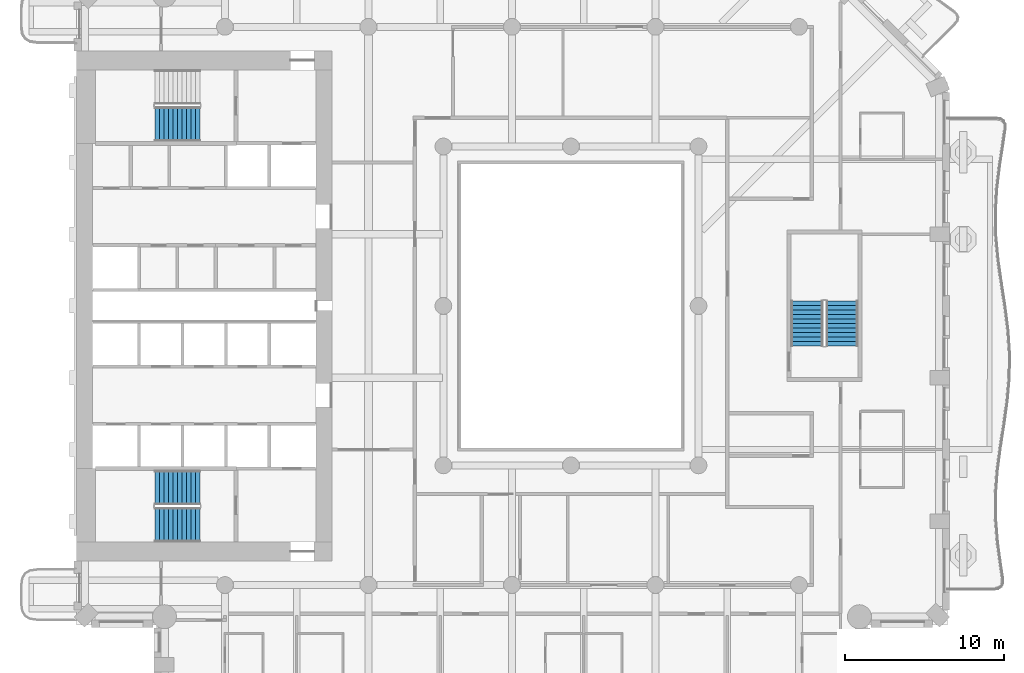
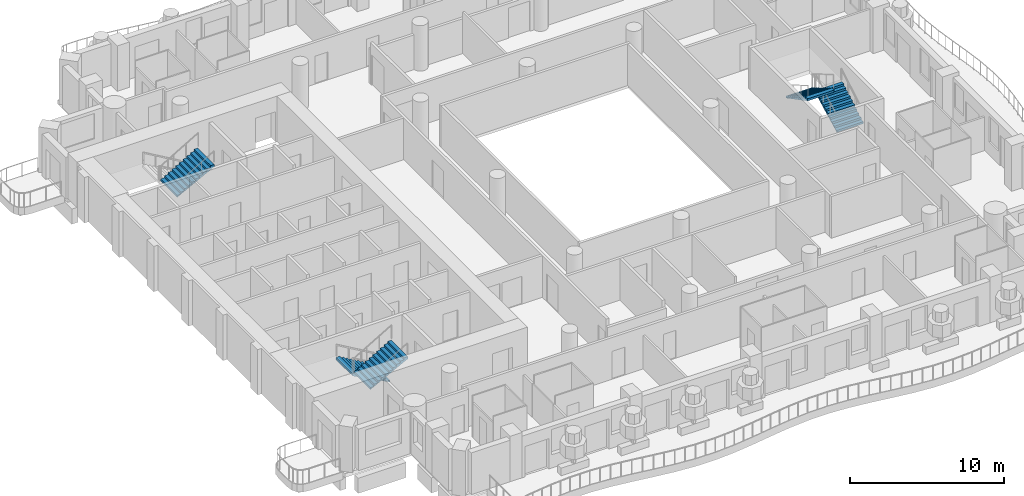
# One storey, part 11 of 20: 5 stair flights, 3 elements without a shape of their own.
"""IFC4 building model written with IfcOpenShell, lengths in metres."""

import ifcopenshell
import ifcopenshell.guid

model = None  # the IFC model being written
_history = None  # IfcOwnerHistory: only IFC2X3 demands one
_inside = {}  # id of a spatial element -> (the spatial element, [elements in it])
_under = {}  # id of a project, library or spatial element -> (it, [spatial elements below it])
_declared = {}  # id of a project -> (the project, [libraries it declares])
_typed = {}  # id of a type object -> (the type object, [elements of that type])
_made_of = {}  # id of a material, layer set ... -> (it, [elements and type objects made of it])


def new_model(schema):
    """Start an empty IFC model of exactly this schema.

    Asked for "IFC4X3", IfcOpenShell would pick the latest addendum, in which some entities
    have other attributes; the version numbers below select the first issue.
    IFC2X3 requires an IfcOwnerHistory on every rooted entity: one is made here for all.
    """
    global model, _history
    if schema == "IFC4X3":
        model = ifcopenshell.file(schema_version=(4, 3, 0, 0))
    else:
        model = ifcopenshell.file(schema=schema)
    _inside.clear()
    _under.clear()
    _declared.clear()
    _typed.clear()
    _made_of.clear()
    _history = None
    if model.schema == "IFC2X3":
        org = make("IfcOrganization", Name="unknown")
        user = make(
            "IfcPersonAndOrganization",
            ThePerson=make("IfcPerson", FamilyName="unknown"),
            TheOrganization=org,
        )
        app = make(
            "IfcApplication",
            ApplicationDeveloper=org,
            Version="unknown",
            ApplicationFullName="unknown",
            ApplicationIdentifier="unknown",
        )
        _history = make(
            "IfcOwnerHistory",
            OwningUser=user,
            OwningApplication=app,
            ChangeAction="ADDED",
            CreationDate=0,
        )
    return model


def make(cls, **values):
    """One entity of the class cls with the attributes given. An attribute that is None is left unset."""
    return model.create_entity(
        cls, **{name: value for name, value in values.items() if value is not None}
    )


def rooted(cls, **values):
    """An entity with a GlobalId (a new one), such as an element, a storey or a relation."""
    return make(cls, GlobalId=ifcopenshell.guid.new(), OwnerHistory=_history, **values)


def si_unit(unit_type, name, prefix=None):
    """IfcSIUnit, for example si_unit("LENGTHUNIT", "METRE", prefix="MILLI")."""
    return make("IfcSIUnit", UnitType=unit_type, Prefix=prefix, Name=name)


def assignment(units):
    """IfcUnitAssignment: the units of a project."""
    return None if units is None else make("IfcUnitAssignment", Units=units)


def point(xyz):
    """IfcCartesianPoint."""
    return None if xyz is None else make("IfcCartesianPoint", Coordinates=xyz)


def direction(xyz):
    """IfcDirection."""
    return None if xyz is None else make("IfcDirection", DirectionRatios=xyz)


def frame(location, z_axis=None, x_axis=None):
    """IfcAxis2Placement3D, a coordinate frame: its origin and axes. An axis left out is left unset."""
    return make(
        "IfcAxis2Placement3D",
        Location=point(location),
        Axis=direction(z_axis),
        RefDirection=direction(x_axis),
    )


def origin():
    """The frame at (0, 0, 0) with its axes left unset."""
    return frame((0.0, 0.0, 0.0))


def place(relative_to, where):
    """IfcLocalPlacement: puts the frame where relative to a parent placement (None: the world)."""
    return make(
        "IfcLocalPlacement", PlacementRelTo=relative_to, RelativePlacement=where
    )


def context(
    kind, dimensions, precision=None, world=None, true_north=None, identifier=None
):
    """IfcGeometricRepresentationContext, for example the 3D "Model" context."""
    return make(
        "IfcGeometricRepresentationContext",
        ContextIdentifier=identifier,
        ContextType=kind,
        CoordinateSpaceDimension=dimensions,
        Precision=precision,
        WorldCoordinateSystem=world,
        TrueNorth=true_north,
    )


def subcontext(parent, identifier, kind, view, scale=None):
    """IfcGeometricRepresentationSubContext, for example "Body" below "Model"."""
    return make(
        "IfcGeometricRepresentationSubContext",
        ContextIdentifier=identifier,
        ContextType=kind,
        ParentContext=parent,
        TargetScale=scale,
        TargetView=view,
    )


def project(units=None, contexts=None):
    """IfcProject with its units and contexts."""
    return rooted(
        "IfcProject",
        Name="project",
        RepresentationContexts=contexts,
        UnitsInContext=assignment(units),
    )


def spatial(cls, under=None, at=None, **own):
    """A site, building, storey or space (cls), placed at a placement, below another one or the project."""
    s = rooted(cls, ObjectPlacement=at, **own)
    if under is not None:
        _under.setdefault(under.id(), (under, []))[1].append(s)
    return s


def point_list(points):
    """IfcCartesianPointList2D or 3D."""
    cls = (
        "IfcCartesianPointList2D" if len(points[0]) == 2 else "IfcCartesianPointList3D"
    )
    return make(cls, CoordList=points)


def triangles(points, corners, closed=None, point_numbers=None):
    """IfcTriangulatedFaceSet: each triangle names its three corners, points numbered from 1."""
    return make(
        "IfcTriangulatedFaceSet",
        Coordinates=point_list(points),
        Closed=closed,
        CoordIndex=corners,
        PnIndex=point_numbers,
    )


def shape(context_of_items, identifier, shape_type, items):
    """IfcShapeRepresentation: the items that make up one representation, for example the "Body"."""
    return make(
        "IfcShapeRepresentation",
        ContextOfItems=context_of_items,
        RepresentationIdentifier=identifier,
        RepresentationType=shape_type,
        Items=items,
    )


def material(Name=None, Category=None):
    """IfcMaterial."""
    return make("IfcMaterial", Name=Name, Category=Category)


def made_of(thing, what):
    """Note that an element or type object is made of a material, layer set ...; save() writes the relation."""
    if what is not None:
        _made_of.setdefault(what.id(), (what, []))[1].append(thing)
    return thing


def type_object(cls, material=None, **own):
    """A type object (cls), such as IfcWallType, which elements share."""
    return made_of(rooted(cls, **own), material)


def element(
    cls,
    number,
    at=None,
    inside=None,
    cuts=None,
    type_object=None,
    material=None,
    context=None,
    identifier="Body",
    shape_type=None,
    held_by="IfcProductDefinitionShape",
    body=None,
    shapes=None,
    **own,
):
    """One element of the class cls, such as IfcWall. Its Tag is "e" and its number.

    at: its placement. inside: the storey or other place that contains it. cuts: it is an
    opening in that element (IfcRelVoidsElement). A single representation is given by context,
    identifier, shape_type and body (its items); several are given by shapes. held_by: the class
    of the entity that holds the representations. save() writes the other relations.
    """
    e = rooted(cls, Tag="e%d" % number, ObjectPlacement=at, **own)
    if body is not None:
        shapes = [shape(context, identifier, shape_type, body)]
    if shapes is not None:
        e.Representation = make(held_by, Representations=shapes)
    if inside is not None:
        _inside.setdefault(inside.id(), (inside, []))[1].append(e)
    if cuts is not None:
        rooted(
            "IfcRelVoidsElement", RelatingBuildingElement=cuts, RelatedOpeningElement=e
        )
    if type_object is not None:
        _typed.setdefault(type_object.id(), (type_object, []))[1].append(e)
    return made_of(e, material)


def aggregate(whole, parts):
    """IfcRelAggregates: a whole, such as a stair, and the parts it consists of."""
    return rooted("IfcRelAggregates", RelatingObject=whole, RelatedObjects=parts)


def save(model, path):
    """Write the relations noted so far, then the file.

    IfcRelAggregates (storeys below a building ...), IfcRelContainedInSpatialStructure (elements
    in a storey), IfcRelDefinesByType, IfcRelAssociatesMaterial and IfcRelDeclares: one each for
    every whole, place, type object, material and project.
    """
    for whole, parts in _under.values():
        aggregate(whole, parts)
    for where, things in _inside.values():
        rooted(
            "IfcRelContainedInSpatialStructure",
            RelatedElements=things,
            RelatingStructure=where,
        )
    for kind, things in _typed.values():
        rooted("IfcRelDefinesByType", RelatedObjects=things, RelatingType=kind)
    for what, things in _made_of.values():
        rooted("IfcRelAssociatesMaterial", RelatedObjects=things, RelatingMaterial=what)
    for by, libraries in _declared.values():
        rooted("IfcRelDeclares", RelatingContext=by, RelatedDefinitions=libraries)
    model.write(path)


model = new_model("IFC4")

# Units and contexts
model_context = context("Model", 3, precision=1e-05, world=origin(), true_north=direction((0.0, 1.0)))
body_context = subcontext(model_context, "Body", "Model", "MODEL_VIEW")
ifc_project = project(units=[si_unit("LENGTHUNIT", "METRE"), si_unit("AREAUNIT", "SQUARE_METRE"), si_unit("VOLUMEUNIT", "CUBIC_METRE"), si_unit("PLANEANGLEUNIT", "RADIAN"), si_unit("MASSUNIT", "GRAM", prefix="KILO")], contexts=[model_context])

# Site, building, storey
site_placement = place(None, origin())
site = spatial("IfcSite", under=ifc_project, at=site_placement, CompositionType="ELEMENT")
building_placement = place(site_placement, origin())
building = spatial("IfcBuilding", under=site, at=building_placement, Name="Cypress Arch Tower", CompositionType="ELEMENT")
storey_placement = place(building_placement, frame((0.0, 0.0, 123.89990234375)))
storey = spatial("IfcBuildingStorey", under=building, at=storey_placement, Name="L26", CompositionType="ELEMENT", Elevation=123.89990234375)

# Stair, stair flights
ifc_material_1 = material(Name="Concrete C40/50", Category="concrete")
stair_type_1 = type_object("IfcStairType", Name="Exit stair ES1636-200", PredefinedType="HALF_TURN_STAIR", material=ifc_material_1)
stair_1_placement = place(storey_placement, origin())
stair_1 = element("IfcStair", 1, at=stair_1_placement, inside=storey, type_object=stair_type_1, Name="L26 Exit stair C", PredefinedType="HALF_TURN_STAIR")
ifc_material_2 = material(Name="Concrete C40/50", Category="concrete")
stair_flight_type_1 = type_object("IfcStairFlightType", Name="Exit stair flight ES1636-200", PredefinedType="STRAIGHT", material=ifc_material_2)
stair_flight_1_placement = place(storey_placement, frame((18.0, -2.5, 0.0), z_axis=(0.0, 0.0, 1.0), x_axis=(0.0, 1.0, 0.0)))
stair_flight_1 = element("IfcStairFlight", 2, at=stair_flight_1_placement, type_object=stair_flight_type_1, Name="C flight 1", NumberOfRisers=11, NumberOfTreads=10, PredefinedType="STRAIGHT", RiserHeight=0.163636364, TreadLength=0.28, context=body_context, shape_type="Tessellation", body=[
    triangles([(0.0, -1.0, 0.0), (0.00048828125, -1.0, 0.054443359375), (0.00048828125, -1.0, 0.109130859375), (0.0, -1.0, 0.16357421875), (0.280029296875, -1.0, 0.16357421875), (0.280029296875, -1.0, 0.327392578125), (0.56005859375, -1.0, 0.327392578125), (0.56005859375, -1.0, 0.490966796875), (0.840087890625, -1.0, 0.490966796875), (0.840087890625, -1.0, 0.654541015625), (1.1201171875, -1.0, 0.654541015625), (1.1201171875, -1.0, 0.818115234375), (1.39990234375, -1.0, 0.818115234375), (1.39990234375, -1.0, 0.98193359375), (1.679931640625, -1.0, 0.98193359375), (1.679931640625, -1.0, 1.1455078125), (1.9599609375, -1.0, 1.1455078125), (1.9599609375, -1.0, 1.30908203125), (2.239990234375, -1.0, 1.30908203125), (2.239990234375, -1.0, 1.47265625), (2.52001953125, -1.0, 1.47265625), (2.52001953125, -1.0, 1.636474609375), (2.800048828125, -1.0, 1.636474609375), (2.799560546875, -1.0, 1.57861328125), (2.799560546875, -1.0, 1.5205078125), (2.800048828125, -1.0, 1.462646484375), (2.800048828125, 1.0, 1.462646484375), (2.799560546875, 1.0, 1.5205078125), (2.799560546875, 1.0, 1.57861328125), (2.800048828125, 1.0, 1.636474609375), (2.52001953125, 1.0, 1.636474609375), (2.52001953125, 1.0, 1.47265625), (2.239990234375, 1.0, 1.47265625), (2.239990234375, 1.0, 1.30908203125), (1.9599609375, 1.0, 1.30908203125), (1.9599609375, 1.0, 1.1455078125), (1.679931640625, 1.0, 1.1455078125), (1.679931640625, 1.0, 0.98193359375), (1.39990234375, 1.0, 0.98193359375), (1.39990234375, 1.0, 0.818115234375), (1.1201171875, 1.0, 0.818115234375), (1.1201171875, 1.0, 0.654541015625), (0.840087890625, 1.0, 0.654541015625), (0.840087890625, 1.0, 0.490966796875), (0.56005859375, 1.0, 0.490966796875), (0.56005859375, 1.0, 0.327392578125), (0.280029296875, 1.0, 0.327392578125), (0.280029296875, 1.0, 0.16357421875), (0.0, 1.0, 0.16357421875), (0.00048828125, 1.0, 0.109130859375), (0.00048828125, 1.0, 0.054443359375), (0.0, 1.0, 0.0), (2.799560546875, 0.0, 1.5205078125), (2.800048828125, 0.0, 1.462646484375), (2.799560546875, 0.0, 1.57861328125), (2.800048828125, 0.0, 1.636474609375), (2.52001953125, 0.0, 1.636474609375), (2.52001953125, 0.0, 1.47265625), (2.239990234375, 0.0, 1.47265625), (2.239990234375, 0.0, 1.30908203125), (1.9599609375, 0.0, 1.30908203125), (1.9599609375, 0.0, 1.1455078125), (1.679931640625, 0.0, 1.1455078125), (1.679931640625, 0.0, 0.98193359375), (1.39990234375, 0.0, 0.98193359375), (1.39990234375, 0.0, 0.818115234375), (1.1201171875, 0.0, 0.818115234375), (1.1201171875, 0.0, 0.654541015625), (0.840087890625, 0.0, 0.654541015625), (0.840087890625, 0.0, 0.490966796875), (0.56005859375, 0.0, 0.490966796875), (0.56005859375, 0.0, 0.327392578125), (0.280029296875, 0.0, 0.327392578125), (0.280029296875, 0.0, 0.16357421875), (0.0, 0.0, 0.16357421875), (0.00048828125, 0.0, 0.109130859375), (0.00048828125, 0.0, 0.054443359375), (0.0, 0.0, 0.0)], [[26, 25, 22], [25, 24, 22], [24, 23, 22], [15, 14, 13], [7, 6, 5], [13, 12, 11], [21, 20, 19], [19, 18, 17], [17, 16, 15], [11, 10, 9], [9, 8, 7], [4, 3, 5], [3, 2, 5], [2, 1, 5], [26, 22, 21], [26, 21, 19], [26, 19, 17], [26, 17, 15], [26, 15, 13], [26, 13, 11], [26, 11, 9], [26, 9, 7], [26, 7, 5], [26, 5, 1], [27, 31, 28], [28, 31, 29], [29, 31, 30], [38, 40, 39], [46, 48, 47], [40, 42, 41], [32, 34, 33], [34, 36, 35], [36, 38, 37], [42, 44, 43], [44, 46, 45], [49, 48, 50], [50, 48, 51], [51, 48, 52], [27, 32, 31], [27, 34, 32], [27, 36, 34], [27, 38, 36], [27, 40, 38], [27, 42, 40], [27, 44, 42], [27, 46, 44], [27, 48, 46], [27, 52, 48], [54, 53, 25], [54, 25, 26], [27, 28, 53], [27, 53, 54], [53, 55, 24], [53, 24, 25], [28, 29, 55], [28, 55, 53], [55, 56, 23], [55, 23, 24], [29, 30, 56], [29, 56, 55], [56, 57, 22], [56, 22, 23], [30, 31, 57], [30, 57, 56], [57, 58, 21], [57, 21, 22], [31, 32, 58], [31, 58, 57], [58, 59, 20], [58, 20, 21], [32, 33, 59], [32, 59, 58], [59, 60, 19], [59, 19, 20], [33, 34, 60], [33, 60, 59], [60, 61, 18], [60, 18, 19], [34, 35, 61], [34, 61, 60], [61, 62, 17], [61, 17, 18], [35, 36, 62], [35, 62, 61], [62, 63, 16], [62, 16, 17], [36, 37, 63], [36, 63, 62], [63, 64, 15], [63, 15, 16], [37, 38, 64], [37, 64, 63], [64, 65, 14], [64, 14, 15], [38, 39, 65], [38, 65, 64], [65, 66, 13], [65, 13, 14], [39, 40, 66], [39, 66, 65], [66, 67, 12], [66, 12, 13], [40, 41, 67], [40, 67, 66], [67, 68, 11], [67, 11, 12], [41, 42, 68], [41, 68, 67], [68, 69, 10], [68, 10, 11], [42, 43, 69], [42, 69, 68], [69, 70, 9], [69, 9, 10], [43, 44, 70], [43, 70, 69], [70, 71, 8], [70, 8, 9], [44, 45, 71], [44, 71, 70], [71, 72, 7], [71, 7, 8], [45, 46, 72], [45, 72, 71], [72, 73, 6], [72, 6, 7], [46, 47, 73], [46, 73, 72], [73, 74, 5], [73, 5, 6], [47, 48, 74], [47, 74, 73], [74, 75, 4], [74, 4, 5], [48, 49, 75], [48, 75, 74], [75, 76, 3], [75, 3, 4], [49, 50, 76], [49, 76, 75], [76, 77, 2], [76, 2, 3], [50, 51, 77], [50, 77, 76], [77, 78, 1], [77, 1, 2], [51, 52, 78], [51, 78, 77], [78, 54, 26], [78, 26, 1], [52, 27, 54], [52, 54, 78]], closed=True),
])
stair_flight_2_placement = place(storey_placement, frame((15.800048828125, 0.300048828125, 1.800048828125), z_axis=(0.0, 0.0, 1.0), x_axis=(0.0, -1.0, 0.0)))
stair_flight_2 = element("IfcStairFlight", 3, at=stair_flight_2_placement, type_object=stair_flight_type_1, Name="C flight 2", NumberOfRisers=11, NumberOfTreads=10, PredefinedType="STRAIGHT", RiserHeight=0.163636364, TreadLength=0.28, context=body_context, shape_type="Tessellation", body=[
    triangles([(0.0, -1.0, 0.0), (0.00048828125, -1.0, 0.054443359375), (0.00048828125, -1.0, 0.109130859375), (0.0, -1.0, 0.16357421875), (0.280029296875, -1.0, 0.16357421875), (0.280029296875, -1.0, 0.327392578125), (0.56005859375, -1.0, 0.327392578125), (0.56005859375, -1.0, 0.490966796875), (0.840087890625, -1.0, 0.490966796875), (0.840087890625, -1.0, 0.654541015625), (1.1201171875, -1.0, 0.654541015625), (1.1201171875, -1.0, 0.818115234375), (1.39990234375, -1.0, 0.818115234375), (1.39990234375, -1.0, 0.98193359375), (1.679931640625, -1.0, 0.98193359375), (1.679931640625, -1.0, 1.1455078125), (1.9599609375, -1.0, 1.1455078125), (1.9599609375, -1.0, 1.30908203125), (2.239990234375, -1.0, 1.30908203125), (2.239990234375, -1.0, 1.47265625), (2.52001953125, -1.0, 1.47265625), (2.52001953125, -1.0, 1.636474609375), (2.800048828125, -1.0, 1.636474609375), (2.799560546875, -1.0, 1.57861328125), (2.799560546875, -1.0, 1.5205078125), (2.800048828125, -1.0, 1.462646484375), (2.800048828125, 1.0, 1.462646484375), (2.799560546875, 1.0, 1.5205078125), (2.799560546875, 1.0, 1.57861328125), (2.800048828125, 1.0, 1.636474609375), (2.52001953125, 1.0, 1.636474609375), (2.52001953125, 1.0, 1.47265625), (2.239990234375, 1.0, 1.47265625), (2.239990234375, 1.0, 1.30908203125), (1.9599609375, 1.0, 1.30908203125), (1.9599609375, 1.0, 1.1455078125), (1.679931640625, 1.0, 1.1455078125), (1.679931640625, 1.0, 0.98193359375), (1.39990234375, 1.0, 0.98193359375), (1.39990234375, 1.0, 0.818115234375), (1.1201171875, 1.0, 0.818115234375), (1.1201171875, 1.0, 0.654541015625), (0.840087890625, 1.0, 0.654541015625), (0.840087890625, 1.0, 0.490966796875), (0.56005859375, 1.0, 0.490966796875), (0.56005859375, 1.0, 0.327392578125), (0.280029296875, 1.0, 0.327392578125), (0.280029296875, 1.0, 0.16357421875), (0.0, 1.0, 0.16357421875), (0.00048828125, 1.0, 0.109130859375), (0.00048828125, 1.0, 0.054443359375), (0.0, 1.0, 0.0), (2.799560546875, 0.0, 1.5205078125), (2.800048828125, 0.0, 1.462646484375), (2.799560546875, 0.0, 1.57861328125), (2.800048828125, 0.0, 1.636474609375), (2.52001953125, 0.0, 1.636474609375), (2.52001953125, 0.0, 1.47265625), (2.239990234375, 0.0, 1.47265625), (2.239990234375, 0.0, 1.30908203125), (1.9599609375, 0.0, 1.30908203125), (1.9599609375, 0.0, 1.1455078125), (1.679931640625, 0.0, 1.1455078125), (1.679931640625, 0.0, 0.98193359375), (1.39990234375, 0.0, 0.98193359375), (1.39990234375, 0.0, 0.818115234375), (1.1201171875, 0.0, 0.818115234375), (1.1201171875, 0.0, 0.654541015625), (0.840087890625, 0.0, 0.654541015625), (0.840087890625, 0.0, 0.490966796875), (0.56005859375, 0.0, 0.490966796875), (0.56005859375, 0.0, 0.327392578125), (0.280029296875, 0.0, 0.327392578125), (0.280029296875, 0.0, 0.16357421875), (0.0, 0.0, 0.16357421875), (0.00048828125, 0.0, 0.109130859375), (0.00048828125, 0.0, 0.054443359375), (0.0, 0.0, 0.0)], [[26, 25, 22], [25, 24, 22], [24, 23, 22], [15, 14, 13], [7, 6, 5], [13, 12, 11], [21, 20, 19], [19, 18, 17], [17, 16, 15], [11, 10, 9], [9, 8, 7], [4, 3, 5], [3, 2, 5], [2, 1, 5], [26, 22, 21], [26, 21, 19], [26, 19, 17], [26, 17, 15], [26, 15, 13], [26, 13, 11], [26, 11, 9], [26, 9, 7], [26, 7, 5], [26, 5, 1], [27, 31, 28], [28, 31, 29], [29, 31, 30], [38, 40, 39], [46, 48, 47], [40, 42, 41], [32, 34, 33], [34, 36, 35], [36, 38, 37], [42, 44, 43], [44, 46, 45], [49, 48, 50], [50, 48, 51], [51, 48, 52], [27, 32, 31], [27, 34, 32], [27, 36, 34], [27, 38, 36], [27, 40, 38], [27, 42, 40], [27, 44, 42], [27, 46, 44], [27, 48, 46], [27, 52, 48], [54, 53, 25], [54, 25, 26], [27, 28, 53], [27, 53, 54], [53, 55, 24], [53, 24, 25], [28, 29, 55], [28, 55, 53], [55, 56, 23], [55, 23, 24], [29, 30, 56], [29, 56, 55], [56, 57, 22], [56, 22, 23], [30, 31, 57], [30, 57, 56], [57, 58, 21], [57, 21, 22], [31, 32, 58], [31, 58, 57], [58, 59, 20], [58, 20, 21], [32, 33, 59], [32, 59, 58], [59, 60, 19], [59, 19, 20], [33, 34, 60], [33, 60, 59], [60, 61, 18], [60, 18, 19], [34, 35, 61], [34, 61, 60], [61, 62, 17], [61, 17, 18], [35, 36, 62], [35, 62, 61], [62, 63, 16], [62, 16, 17], [36, 37, 63], [36, 63, 62], [63, 64, 15], [63, 15, 16], [37, 38, 64], [37, 64, 63], [64, 65, 14], [64, 14, 15], [38, 39, 65], [38, 65, 64], [65, 66, 13], [65, 13, 14], [39, 40, 66], [39, 66, 65], [66, 67, 12], [66, 12, 13], [40, 41, 67], [40, 67, 66], [67, 68, 11], [67, 11, 12], [41, 42, 68], [41, 68, 67], [68, 69, 10], [68, 10, 11], [42, 43, 69], [42, 69, 68], [69, 70, 9], [69, 9, 10], [43, 44, 70], [43, 70, 69], [70, 71, 8], [70, 8, 9], [44, 45, 71], [44, 71, 70], [71, 72, 7], [71, 7, 8], [45, 46, 72], [45, 72, 71], [72, 73, 6], [72, 6, 7], [46, 47, 73], [46, 73, 72], [73, 74, 5], [73, 5, 6], [47, 48, 74], [47, 74, 73], [74, 75, 4], [74, 4, 5], [48, 49, 75], [48, 75, 74], [75, 76, 3], [75, 3, 4], [49, 50, 76], [49, 76, 75], [76, 77, 2], [76, 2, 3], [50, 51, 77], [50, 77, 76], [77, 78, 1], [77, 1, 2], [51, 52, 78], [51, 78, 77], [78, 54, 26], [78, 26, 1], [52, 27, 54], [52, 54, 78]], closed=True),
])
aggregate(stair_1, [stair_flight_1, stair_flight_2])

ifc_material_3 = material(Name="Concrete C40/50", Category="concrete")
stair_type_2 = type_object("IfcStairType", Name="Exit stair ES1636-215", PredefinedType="HALF_TURN_STAIR", material=ifc_material_3)
stair_2_placement = place(storey_placement, origin())
stair_2 = element("IfcStair", 4, at=stair_2_placement, inside=storey, type_object=stair_type_2, Name="L26 Exit stair A", PredefinedType="HALF_TURN_STAIR")
ifc_material_4 = material(Name="Concrete C40/50", Category="concrete")
stair_flight_type_2 = type_object("IfcStairFlightType", Name="Exit stair flight ES1636-215", PredefinedType="STRAIGHT", material=ifc_material_4)
stair_flight_3_placement = place(storey_placement, frame((-22.27490234375, -11.39990234375, 0.0), z_axis=(0.0, 0.0, 1.0), x_axis=(-1.0, 0.0, 0.0)))
stair_flight_3 = element("IfcStairFlight", 5, at=stair_flight_3_placement, type_object=stair_flight_type_2, Name="A flight 1", NumberOfRisers=11, NumberOfTreads=10, PredefinedType="STRAIGHT", RiserHeight=0.163636364, TreadLength=0.28, context=body_context, shape_type="Tessellation", body=[
    triangles([(0.0, -1.074951171875, 0.0), (0.000244140625, -1.074951171875, 0.03271484375), (0.00048828125, -1.074951171875, 0.0654296875), (0.00048828125, -1.074951171875, 0.09814453125), (0.000244140625, -1.074951171875, 0.130859375), (0.0, -1.074951171875, 0.16357421875), (0.280029296875, -1.074951171875, 0.16357421875), (0.280029296875, -1.074951171875, 0.327392578125), (0.56005859375, -1.074951171875, 0.327392578125), (0.56005859375, -1.074951171875, 0.490966796875), (0.840087890625, -1.074951171875, 0.490966796875), (0.840087890625, -1.074951171875, 0.654541015625), (1.1201171875, -1.074951171875, 0.654541015625), (1.1201171875, -1.074951171875, 0.818115234375), (1.39990234375, -1.074951171875, 0.818115234375), (1.39990234375, -1.074951171875, 0.98193359375), (1.679931640625, -1.074951171875, 0.98193359375), (1.679931640625, -1.074951171875, 1.1455078125), (1.9599609375, -1.074951171875, 1.1455078125), (1.9599609375, -1.074951171875, 1.30908203125), (2.239990234375, -1.074951171875, 1.30908203125), (2.239990234375, -1.074951171875, 1.47265625), (2.52001953125, -1.074951171875, 1.47265625), (2.52001953125, -1.074951171875, 1.636474609375), (2.800048828125, -1.074951171875, 1.636474609375), (2.7998046875, -1.074951171875, 1.601806640625), (2.799560546875, -1.074951171875, 1.56689453125), (2.799560546875, -1.074951171875, 1.5322265625), (2.7998046875, -1.074951171875, 1.497314453125), (2.800048828125, -1.074951171875, 1.462646484375), (2.800048828125, 1.074951171875, 1.462646484375), (2.7998046875, 1.074951171875, 1.497314453125), (2.799560546875, 1.074951171875, 1.5322265625), (2.799560546875, 1.074951171875, 1.56689453125), (2.7998046875, 1.074951171875, 1.601806640625), (2.800048828125, 1.074951171875, 1.636474609375), (2.52001953125, 1.074951171875, 1.636474609375), (2.52001953125, 1.074951171875, 1.47265625), (2.239990234375, 1.074951171875, 1.47265625), (2.239990234375, 1.074951171875, 1.30908203125), (1.9599609375, 1.074951171875, 1.30908203125), (1.9599609375, 1.074951171875, 1.1455078125), (1.679931640625, 1.074951171875, 1.1455078125), (1.679931640625, 1.074951171875, 0.98193359375), (1.39990234375, 1.074951171875, 0.98193359375), (1.39990234375, 1.074951171875, 0.818115234375), (1.1201171875, 1.074951171875, 0.818115234375), (1.1201171875, 1.074951171875, 0.654541015625), (0.840087890625, 1.074951171875, 0.654541015625), (0.840087890625, 1.074951171875, 0.490966796875), (0.56005859375, 1.074951171875, 0.490966796875), (0.56005859375, 1.074951171875, 0.327392578125), (0.280029296875, 1.074951171875, 0.327392578125), (0.280029296875, 1.074951171875, 0.16357421875), (0.0, 1.074951171875, 0.16357421875), (0.000244140625, 1.074951171875, 0.130859375), (0.00048828125, 1.074951171875, 0.09814453125), (0.00048828125, 1.074951171875, 0.0654296875), (0.000244140625, 1.074951171875, 0.03271484375), (0.0, 1.074951171875, 0.0), (2.7998046875, 0.0, 1.497314453125), (2.800048828125, 0.0, 1.462646484375), (2.799560546875, 0.0, 1.5322265625), (2.799560546875, 0.0, 1.56689453125), (2.7998046875, 0.0, 1.601806640625), (2.800048828125, 0.0, 1.636474609375), (2.52001953125, 0.0, 1.636474609375), (2.52001953125, 0.0, 1.47265625), (2.239990234375, 0.0, 1.47265625), (2.239990234375, 0.0, 1.30908203125), (1.9599609375, 0.0, 1.30908203125), (1.9599609375, 0.0, 1.1455078125), (1.679931640625, 0.0, 1.1455078125), (1.679931640625, 0.0, 0.98193359375), (1.39990234375, 0.0, 0.98193359375), (1.39990234375, 0.0, 0.818115234375), (1.1201171875, 0.0, 0.818115234375), (1.1201171875, 0.0, 0.654541015625), (0.840087890625, 0.0, 0.654541015625), (0.840087890625, 0.0, 0.490966796875), (0.56005859375, 0.0, 0.490966796875), (0.56005859375, 0.0, 0.327392578125), (0.280029296875, 0.0, 0.327392578125), (0.280029296875, 0.0, 0.16357421875), (0.0, 0.0, 0.16357421875), (0.000244140625, 0.0, 0.130859375), (0.00048828125, 0.0, 0.09814453125), (0.00048828125, 0.0, 0.0654296875), (0.000244140625, 0.0, 0.03271484375), (0.0, 0.0, 0.0)], [[30, 29, 24], [29, 28, 24], [28, 27, 24], [27, 26, 24], [26, 25, 24], [17, 16, 15], [9, 8, 7], [15, 14, 13], [23, 22, 21], [21, 20, 19], [19, 18, 17], [13, 12, 11], [11, 10, 9], [6, 5, 7], [5, 4, 7], [4, 3, 7], [3, 2, 7], [2, 1, 7], [30, 24, 23], [30, 23, 21], [30, 21, 19], [30, 19, 17], [30, 17, 15], [30, 15, 13], [30, 13, 11], [30, 11, 9], [30, 9, 7], [30, 7, 1], [31, 37, 32], [32, 37, 33], [33, 37, 34], [34, 37, 35], [35, 37, 36], [44, 46, 45], [52, 54, 53], [46, 48, 47], [38, 40, 39], [40, 42, 41], [42, 44, 43], [48, 50, 49], [50, 52, 51], [55, 54, 56], [56, 54, 57], [57, 54, 58], [58, 54, 59], [59, 54, 60], [31, 38, 37], [31, 40, 38], [31, 42, 40], [31, 44, 42], [31, 46, 44], [31, 48, 46], [31, 50, 48], [31, 52, 50], [31, 54, 52], [31, 60, 54], [62, 61, 29], [62, 29, 30], [31, 32, 61], [31, 61, 62], [61, 63, 28], [61, 28, 29], [32, 33, 63], [32, 63, 61], [63, 64, 27], [63, 27, 28], [33, 34, 64], [33, 64, 63], [64, 65, 26], [64, 26, 27], [34, 35, 65], [34, 65, 64], [65, 66, 25], [65, 25, 26], [35, 36, 66], [35, 66, 65], [66, 67, 24], [66, 24, 25], [36, 37, 67], [36, 67, 66], [67, 68, 23], [67, 23, 24], [37, 38, 68], [37, 68, 67], [68, 69, 22], [68, 22, 23], [38, 39, 69], [38, 69, 68], [69, 70, 21], [69, 21, 22], [39, 40, 70], [39, 70, 69], [70, 71, 20], [70, 20, 21], [40, 41, 71], [40, 71, 70], [71, 72, 19], [71, 19, 20], [41, 42, 72], [41, 72, 71], [72, 73, 18], [72, 18, 19], [42, 43, 73], [42, 73, 72], [73, 74, 17], [73, 17, 18], [43, 44, 74], [43, 74, 73], [74, 75, 16], [74, 16, 17], [44, 45, 75], [44, 75, 74], [75, 76, 15], [75, 15, 16], [45, 46, 76], [45, 76, 75], [76, 77, 14], [76, 14, 15], [46, 47, 77], [46, 77, 76], [77, 78, 13], [77, 13, 14], [47, 48, 78], [47, 78, 77], [78, 79, 12], [78, 12, 13], [48, 49, 79], [48, 79, 78], [79, 80, 11], [79, 11, 12], [49, 50, 80], [49, 80, 79], [80, 81, 10], [80, 10, 11], [50, 51, 81], [50, 81, 80], [81, 82, 9], [81, 9, 10], [51, 52, 82], [51, 82, 81], [82, 83, 8], [82, 8, 9], [52, 53, 83], [52, 83, 82], [83, 84, 7], [83, 7, 8], [53, 54, 84], [53, 84, 83], [84, 85, 6], [84, 6, 7], [54, 55, 85], [54, 85, 84], [85, 86, 5], [85, 5, 6], [55, 56, 86], [55, 86, 85], [86, 87, 4], [86, 4, 5], [56, 57, 87], [56, 87, 86], [87, 88, 3], [87, 3, 4], [57, 58, 88], [57, 88, 87], [88, 89, 2], [88, 2, 3], [58, 59, 89], [58, 89, 88], [89, 90, 1], [89, 1, 2], [59, 60, 90], [59, 90, 89], [90, 62, 30], [90, 30, 1], [60, 31, 62], [60, 62, 90]], closed=True),
])
stair_flight_4_placement = place(storey_placement, frame((-25.074951171875, -13.72509765625, 1.800048828125), z_axis=(0.0, 0.0, 1.0), x_axis=(1.0, 0.0, 0.0)))
stair_flight_4 = element("IfcStairFlight", 6, at=stair_flight_4_placement, type_object=stair_flight_type_2, Name="A flight 2", NumberOfRisers=11, NumberOfTreads=10, PredefinedType="STRAIGHT", RiserHeight=0.163636364, TreadLength=0.28, context=body_context, shape_type="Tessellation", body=[
    triangles([(0.0, -1.074951171875, 0.0), (0.000244140625, -1.074951171875, 0.03271484375), (0.00048828125, -1.074951171875, 0.0654296875), (0.00048828125, -1.074951171875, 0.09814453125), (0.000244140625, -1.074951171875, 0.130859375), (0.0, -1.074951171875, 0.16357421875), (0.280029296875, -1.074951171875, 0.16357421875), (0.280029296875, -1.074951171875, 0.327392578125), (0.56005859375, -1.074951171875, 0.327392578125), (0.56005859375, -1.074951171875, 0.490966796875), (0.840087890625, -1.074951171875, 0.490966796875), (0.840087890625, -1.074951171875, 0.654541015625), (1.1201171875, -1.074951171875, 0.654541015625), (1.1201171875, -1.074951171875, 0.818115234375), (1.39990234375, -1.074951171875, 0.818115234375), (1.39990234375, -1.074951171875, 0.98193359375), (1.679931640625, -1.074951171875, 0.98193359375), (1.679931640625, -1.074951171875, 1.1455078125), (1.9599609375, -1.074951171875, 1.1455078125), (1.9599609375, -1.074951171875, 1.30908203125), (2.239990234375, -1.074951171875, 1.30908203125), (2.239990234375, -1.074951171875, 1.47265625), (2.52001953125, -1.074951171875, 1.47265625), (2.52001953125, -1.074951171875, 1.636474609375), (2.800048828125, -1.074951171875, 1.636474609375), (2.7998046875, -1.074951171875, 1.601806640625), (2.799560546875, -1.074951171875, 1.56689453125), (2.799560546875, -1.074951171875, 1.5322265625), (2.7998046875, -1.074951171875, 1.497314453125), (2.800048828125, -1.074951171875, 1.462646484375), (2.800048828125, 1.074951171875, 1.462646484375), (2.7998046875, 1.074951171875, 1.497314453125), (2.799560546875, 1.074951171875, 1.5322265625), (2.799560546875, 1.074951171875, 1.56689453125), (2.7998046875, 1.074951171875, 1.601806640625), (2.800048828125, 1.074951171875, 1.636474609375), (2.52001953125, 1.074951171875, 1.636474609375), (2.52001953125, 1.074951171875, 1.47265625), (2.239990234375, 1.074951171875, 1.47265625), (2.239990234375, 1.074951171875, 1.30908203125), (1.9599609375, 1.074951171875, 1.30908203125), (1.9599609375, 1.074951171875, 1.1455078125), (1.679931640625, 1.074951171875, 1.1455078125), (1.679931640625, 1.074951171875, 0.98193359375), (1.39990234375, 1.074951171875, 0.98193359375), (1.39990234375, 1.074951171875, 0.818115234375), (1.1201171875, 1.074951171875, 0.818115234375), (1.1201171875, 1.074951171875, 0.654541015625), (0.840087890625, 1.074951171875, 0.654541015625), (0.840087890625, 1.074951171875, 0.490966796875), (0.56005859375, 1.074951171875, 0.490966796875), (0.56005859375, 1.074951171875, 0.327392578125), (0.280029296875, 1.074951171875, 0.327392578125), (0.280029296875, 1.074951171875, 0.16357421875), (0.0, 1.074951171875, 0.16357421875), (0.000244140625, 1.074951171875, 0.130859375), (0.00048828125, 1.074951171875, 0.09814453125), (0.00048828125, 1.074951171875, 0.0654296875), (0.000244140625, 1.074951171875, 0.03271484375), (0.0, 1.074951171875, 0.0), (2.7998046875, 0.0, 1.497314453125), (2.800048828125, 0.0, 1.462646484375), (2.799560546875, 0.0, 1.5322265625), (2.799560546875, 0.0, 1.56689453125), (2.7998046875, 0.0, 1.601806640625), (2.800048828125, 0.0, 1.636474609375), (2.52001953125, 0.0, 1.636474609375), (2.52001953125, 0.0, 1.47265625), (2.239990234375, 0.0, 1.47265625), (2.239990234375, 0.0, 1.30908203125), (1.9599609375, 0.0, 1.30908203125), (1.9599609375, 0.0, 1.1455078125), (1.679931640625, 0.0, 1.1455078125), (1.679931640625, 0.0, 0.98193359375), (1.39990234375, 0.0, 0.98193359375), (1.39990234375, 0.0, 0.818115234375), (1.1201171875, 0.0, 0.818115234375), (1.1201171875, 0.0, 0.654541015625), (0.840087890625, 0.0, 0.654541015625), (0.840087890625, 0.0, 0.490966796875), (0.56005859375, 0.0, 0.490966796875), (0.56005859375, 0.0, 0.327392578125), (0.280029296875, 0.0, 0.327392578125), (0.280029296875, 0.0, 0.16357421875), (0.0, 0.0, 0.16357421875), (0.000244140625, 0.0, 0.130859375), (0.00048828125, 0.0, 0.09814453125), (0.00048828125, 0.0, 0.0654296875), (0.000244140625, 0.0, 0.03271484375), (0.0, 0.0, 0.0)], [[30, 29, 24], [29, 28, 24], [28, 27, 24], [27, 26, 24], [26, 25, 24], [17, 16, 15], [9, 8, 7], [15, 14, 13], [23, 22, 21], [21, 20, 19], [19, 18, 17], [13, 12, 11], [11, 10, 9], [6, 5, 7], [5, 4, 7], [4, 3, 7], [3, 2, 7], [2, 1, 7], [30, 24, 23], [30, 23, 21], [30, 21, 19], [30, 19, 17], [30, 17, 15], [30, 15, 13], [30, 13, 11], [30, 11, 9], [30, 9, 7], [30, 7, 1], [31, 37, 32], [32, 37, 33], [33, 37, 34], [34, 37, 35], [35, 37, 36], [44, 46, 45], [52, 54, 53], [46, 48, 47], [38, 40, 39], [40, 42, 41], [42, 44, 43], [48, 50, 49], [50, 52, 51], [55, 54, 56], [56, 54, 57], [57, 54, 58], [58, 54, 59], [59, 54, 60], [31, 38, 37], [31, 40, 38], [31, 42, 40], [31, 44, 42], [31, 46, 44], [31, 48, 46], [31, 50, 48], [31, 52, 50], [31, 54, 52], [31, 60, 54], [62, 61, 29], [62, 29, 30], [31, 32, 61], [31, 61, 62], [61, 63, 28], [61, 28, 29], [32, 33, 63], [32, 63, 61], [63, 64, 27], [63, 27, 28], [33, 34, 64], [33, 64, 63], [64, 65, 26], [64, 26, 27], [34, 35, 65], [34, 65, 64], [65, 66, 25], [65, 25, 26], [35, 36, 66], [35, 66, 65], [66, 67, 24], [66, 24, 25], [36, 37, 67], [36, 67, 66], [67, 68, 23], [67, 23, 24], [37, 38, 68], [37, 68, 67], [68, 69, 22], [68, 22, 23], [38, 39, 69], [38, 69, 68], [69, 70, 21], [69, 21, 22], [39, 40, 70], [39, 70, 69], [70, 71, 20], [70, 20, 21], [40, 41, 71], [40, 71, 70], [71, 72, 19], [71, 19, 20], [41, 42, 72], [41, 72, 71], [72, 73, 18], [72, 18, 19], [42, 43, 73], [42, 73, 72], [73, 74, 17], [73, 17, 18], [43, 44, 74], [43, 74, 73], [74, 75, 16], [74, 16, 17], [44, 45, 75], [44, 75, 74], [75, 76, 15], [75, 15, 16], [45, 46, 76], [45, 76, 75], [76, 77, 14], [76, 14, 15], [46, 47, 77], [46, 77, 76], [77, 78, 13], [77, 13, 14], [47, 48, 78], [47, 78, 77], [78, 79, 12], [78, 12, 13], [48, 49, 79], [48, 79, 78], [79, 80, 11], [79, 11, 12], [49, 50, 80], [49, 80, 79], [80, 81, 10], [80, 10, 11], [50, 51, 81], [50, 81, 80], [81, 82, 9], [81, 9, 10], [51, 52, 82], [51, 82, 81], [82, 83, 8], [82, 8, 9], [52, 53, 83], [52, 83, 82], [83, 84, 7], [83, 7, 8], [53, 54, 84], [53, 84, 83], [84, 85, 6], [84, 6, 7], [54, 55, 85], [54, 85, 84], [85, 86, 5], [85, 5, 6], [55, 56, 86], [55, 86, 85], [86, 87, 4], [86, 4, 5], [56, 57, 87], [56, 87, 86], [87, 88, 3], [87, 3, 4], [57, 58, 88], [57, 88, 87], [88, 89, 2], [88, 2, 3], [58, 59, 89], [58, 89, 88], [89, 90, 1], [89, 1, 2], [59, 60, 90], [59, 90, 89], [90, 62, 30], [90, 30, 1], [60, 31, 62], [60, 62, 90]], closed=True),
])
aggregate(stair_2, [stair_flight_3, stair_flight_4])

# Stair, stair flight
stair_3_placement = place(storey_placement, origin())
stair_3 = element("IfcStair", 7, at=stair_3_placement, inside=storey, type_object=stair_type_2, Name="L26 Exit stair B", PredefinedType="HALF_TURN_STAIR")
stair_flight_5_placement = place(storey_placement, frame((-25.074951171875, 11.39990234375, 1.800048828125), z_axis=(0.0, 0.0, 1.0), x_axis=(1.0, 0.0, 0.0)))
stair_flight_5 = element("IfcStairFlight", 8, at=stair_flight_5_placement, type_object=stair_flight_type_2, Name="B flight 2", NumberOfRisers=11, NumberOfTreads=10, PredefinedType="STRAIGHT", RiserHeight=0.163636364, TreadLength=0.28, context=body_context, shape_type="Tessellation", body=[
    triangles([(0.0, -1.074951171875, 0.0), (0.000244140625, -1.074951171875, 0.03271484375), (0.00048828125, -1.074951171875, 0.0654296875), (0.00048828125, -1.074951171875, 0.09814453125), (0.000244140625, -1.074951171875, 0.130859375), (0.0, -1.074951171875, 0.16357421875), (0.280029296875, -1.074951171875, 0.16357421875), (0.280029296875, -1.074951171875, 0.327392578125), (0.56005859375, -1.074951171875, 0.327392578125), (0.56005859375, -1.074951171875, 0.490966796875), (0.840087890625, -1.074951171875, 0.490966796875), (0.840087890625, -1.074951171875, 0.654541015625), (1.1201171875, -1.074951171875, 0.654541015625), (1.1201171875, -1.074951171875, 0.818115234375), (1.39990234375, -1.074951171875, 0.818115234375), (1.39990234375, -1.074951171875, 0.98193359375), (1.679931640625, -1.074951171875, 0.98193359375), (1.679931640625, -1.074951171875, 1.1455078125), (1.9599609375, -1.074951171875, 1.1455078125), (1.9599609375, -1.074951171875, 1.30908203125), (2.239990234375, -1.074951171875, 1.30908203125), (2.239990234375, -1.074951171875, 1.47265625), (2.52001953125, -1.074951171875, 1.47265625), (2.52001953125, -1.074951171875, 1.636474609375), (2.800048828125, -1.074951171875, 1.636474609375), (2.7998046875, -1.074951171875, 1.601806640625), (2.799560546875, -1.074951171875, 1.56689453125), (2.799560546875, -1.074951171875, 1.5322265625), (2.7998046875, -1.074951171875, 1.497314453125), (2.800048828125, -1.074951171875, 1.462646484375), (2.800048828125, 1.074951171875, 1.462646484375), (2.7998046875, 1.074951171875, 1.497314453125), (2.799560546875, 1.074951171875, 1.5322265625), (2.799560546875, 1.074951171875, 1.56689453125), (2.7998046875, 1.074951171875, 1.601806640625), (2.800048828125, 1.074951171875, 1.636474609375), (2.52001953125, 1.074951171875, 1.636474609375), (2.52001953125, 1.074951171875, 1.47265625), (2.239990234375, 1.074951171875, 1.47265625), (2.239990234375, 1.074951171875, 1.30908203125), (1.9599609375, 1.074951171875, 1.30908203125), (1.9599609375, 1.074951171875, 1.1455078125), (1.679931640625, 1.074951171875, 1.1455078125), (1.679931640625, 1.074951171875, 0.98193359375), (1.39990234375, 1.074951171875, 0.98193359375), (1.39990234375, 1.074951171875, 0.818115234375), (1.1201171875, 1.074951171875, 0.818115234375), (1.1201171875, 1.074951171875, 0.654541015625), (0.840087890625, 1.074951171875, 0.654541015625), (0.840087890625, 1.074951171875, 0.490966796875), (0.56005859375, 1.074951171875, 0.490966796875), (0.56005859375, 1.074951171875, 0.327392578125), (0.280029296875, 1.074951171875, 0.327392578125), (0.280029296875, 1.074951171875, 0.16357421875), (0.0, 1.074951171875, 0.16357421875), (0.000244140625, 1.074951171875, 0.130859375), (0.00048828125, 1.074951171875, 0.09814453125), (0.00048828125, 1.074951171875, 0.0654296875), (0.000244140625, 1.074951171875, 0.03271484375), (0.0, 1.074951171875, 0.0), (2.7998046875, 0.0, 1.497314453125), (2.800048828125, 0.0, 1.462646484375), (2.799560546875, 0.0, 1.5322265625), (2.799560546875, 0.0, 1.56689453125), (2.7998046875, 0.0, 1.601806640625), (2.800048828125, 0.0, 1.636474609375), (2.52001953125, 0.0, 1.636474609375), (2.52001953125, 0.0, 1.47265625), (2.239990234375, 0.0, 1.47265625), (2.239990234375, 0.0, 1.30908203125), (1.9599609375, 0.0, 1.30908203125), (1.9599609375, 0.0, 1.1455078125), (1.679931640625, 0.0, 1.1455078125), (1.679931640625, 0.0, 0.98193359375), (1.39990234375, 0.0, 0.98193359375), (1.39990234375, 0.0, 0.818115234375), (1.1201171875, 0.0, 0.818115234375), (1.1201171875, 0.0, 0.654541015625), (0.840087890625, 0.0, 0.654541015625), (0.840087890625, 0.0, 0.490966796875), (0.56005859375, 0.0, 0.490966796875), (0.56005859375, 0.0, 0.327392578125), (0.280029296875, 0.0, 0.327392578125), (0.280029296875, 0.0, 0.16357421875), (0.0, 0.0, 0.16357421875), (0.000244140625, 0.0, 0.130859375), (0.00048828125, 0.0, 0.09814453125), (0.00048828125, 0.0, 0.0654296875), (0.000244140625, 0.0, 0.03271484375), (0.0, 0.0, 0.0)], [[30, 29, 24], [29, 28, 24], [28, 27, 24], [27, 26, 24], [26, 25, 24], [17, 16, 15], [9, 8, 7], [15, 14, 13], [23, 22, 21], [21, 20, 19], [19, 18, 17], [13, 12, 11], [11, 10, 9], [6, 5, 7], [5, 4, 7], [4, 3, 7], [3, 2, 7], [2, 1, 7], [30, 24, 23], [30, 23, 21], [30, 21, 19], [30, 19, 17], [30, 17, 15], [30, 15, 13], [30, 13, 11], [30, 11, 9], [30, 9, 7], [30, 7, 1], [31, 37, 32], [32, 37, 33], [33, 37, 34], [34, 37, 35], [35, 37, 36], [44, 46, 45], [52, 54, 53], [46, 48, 47], [38, 40, 39], [40, 42, 41], [42, 44, 43], [48, 50, 49], [50, 52, 51], [55, 54, 56], [56, 54, 57], [57, 54, 58], [58, 54, 59], [59, 54, 60], [31, 38, 37], [31, 40, 38], [31, 42, 40], [31, 44, 42], [31, 46, 44], [31, 48, 46], [31, 50, 48], [31, 52, 50], [31, 54, 52], [31, 60, 54], [62, 61, 29], [62, 29, 30], [31, 32, 61], [31, 61, 62], [61, 63, 28], [61, 28, 29], [32, 33, 63], [32, 63, 61], [63, 64, 27], [63, 27, 28], [33, 34, 64], [33, 64, 63], [64, 65, 26], [64, 26, 27], [34, 35, 65], [34, 65, 64], [65, 66, 25], [65, 25, 26], [35, 36, 66], [35, 66, 65], [66, 67, 24], [66, 24, 25], [36, 37, 67], [36, 67, 66], [67, 68, 23], [67, 23, 24], [37, 38, 68], [37, 68, 67], [68, 69, 22], [68, 22, 23], [38, 39, 69], [38, 69, 68], [69, 70, 21], [69, 21, 22], [39, 40, 70], [39, 70, 69], [70, 71, 20], [70, 20, 21], [40, 41, 71], [40, 71, 70], [71, 72, 19], [71, 19, 20], [41, 42, 72], [41, 72, 71], [72, 73, 18], [72, 18, 19], [42, 43, 73], [42, 73, 72], [73, 74, 17], [73, 17, 18], [43, 44, 74], [43, 74, 73], [74, 75, 16], [74, 16, 17], [44, 45, 75], [44, 75, 74], [75, 76, 15], [75, 15, 16], [45, 46, 76], [45, 76, 75], [76, 77, 14], [76, 14, 15], [46, 47, 77], [46, 77, 76], [77, 78, 13], [77, 13, 14], [47, 48, 78], [47, 78, 77], [78, 79, 12], [78, 12, 13], [48, 49, 79], [48, 79, 78], [79, 80, 11], [79, 11, 12], [49, 50, 80], [49, 80, 79], [80, 81, 10], [80, 10, 11], [50, 51, 81], [50, 81, 80], [81, 82, 9], [81, 9, 10], [51, 52, 82], [51, 82, 81], [82, 83, 8], [82, 8, 9], [52, 53, 83], [52, 83, 82], [83, 84, 7], [83, 7, 8], [53, 54, 84], [53, 84, 83], [84, 85, 6], [84, 6, 7], [54, 55, 85], [54, 85, 84], [85, 86, 5], [85, 5, 6], [55, 56, 86], [55, 86, 85], [86, 87, 4], [86, 4, 5], [56, 57, 87], [56, 87, 86], [87, 88, 3], [87, 3, 4], [57, 58, 88], [57, 88, 87], [88, 89, 2], [88, 2, 3], [58, 59, 89], [58, 89, 88], [89, 90, 1], [89, 1, 2], [59, 60, 90], [59, 90, 89], [90, 62, 30], [90, 30, 1], [60, 31, 62], [60, 62, 90]], closed=True),
])
aggregate(stair_3, [stair_flight_5])

save(model, "model.ifc")
